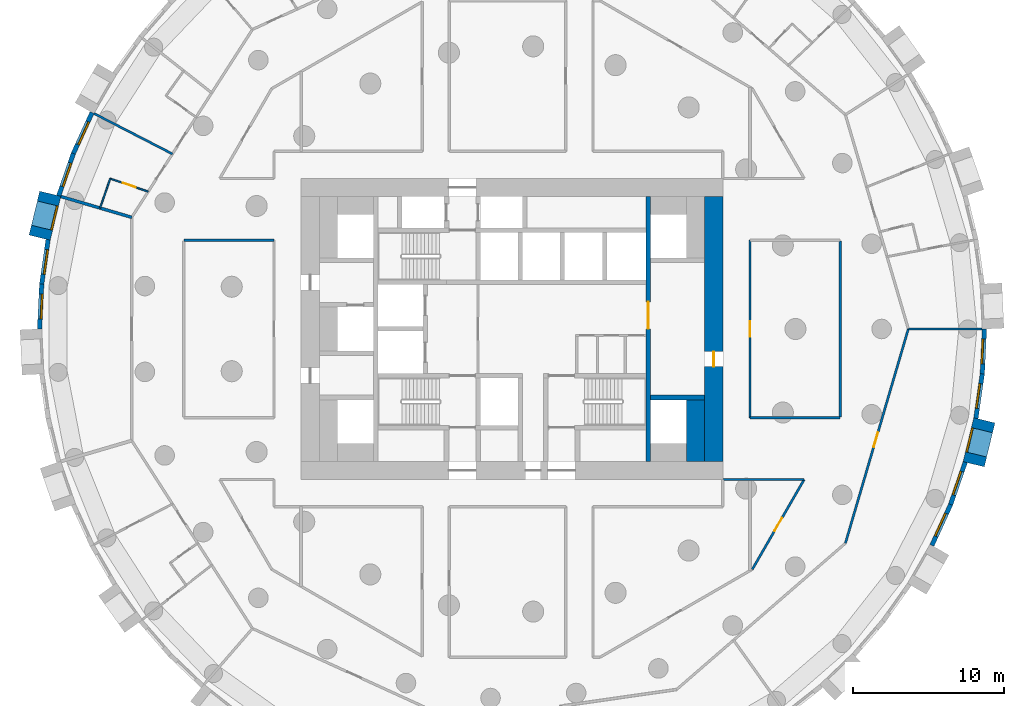
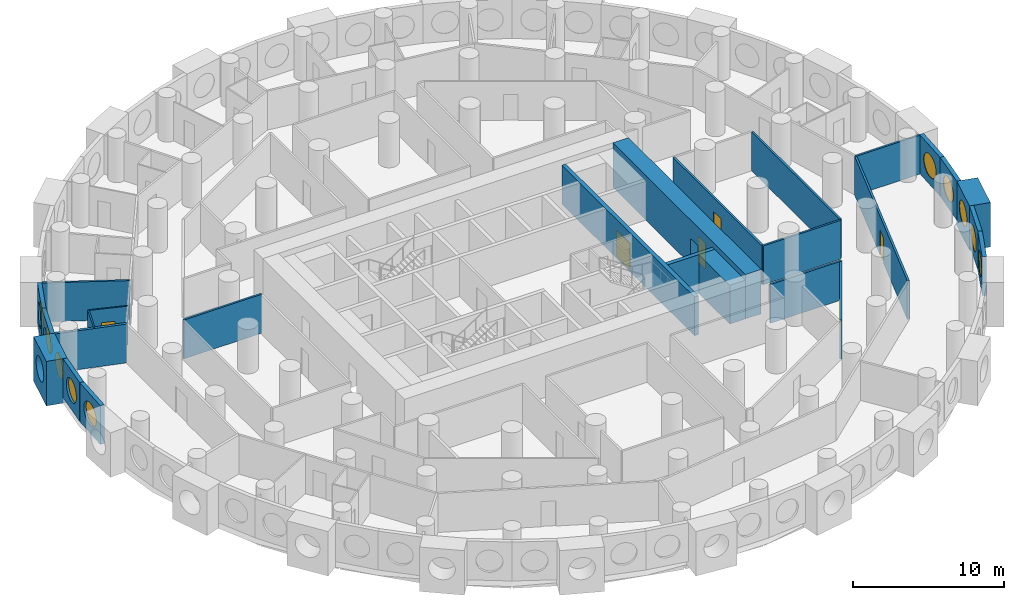
# One storey, part 6 of 12: 26 walls, 10 windows, 6 doors, 16 openings.
"""IFC4 building model written with IfcOpenShell, lengths in metres."""

from ifc_helpers import new_model, si_unit, direction, frame, frame_2d, origin, origin_2d, place, context, subcontext, project, spatial, rectangle, circle, extrude, material, layer, layer_set, type_object, element, fill, save


model = new_model("IFC4")

# Units and contexts
model_context = context("Model", 3, precision=1e-05, world=origin(), true_north=direction((0.0, 1.0)))
body_context = subcontext(model_context, "Body", "Model", "MODEL_VIEW")
ifc_project = project(units=[si_unit("LENGTHUNIT", "METRE"), si_unit("AREAUNIT", "SQUARE_METRE"), si_unit("VOLUMEUNIT", "CUBIC_METRE"), si_unit("PLANEANGLEUNIT", "RADIAN"), si_unit("MASSUNIT", "GRAM", prefix="KILO")], contexts=[model_context])

# Site, building, storey
site_placement = place(None, origin())
site = spatial("IfcSite", under=ifc_project, at=site_placement, CompositionType="ELEMENT")
building_placement = place(site_placement, origin())
building = spatial("IfcBuilding", under=site, at=building_placement, Name="Tracery Tower", CompositionType="ELEMENT")
storey_placement = place(building_placement, frame((0.0, 0.0, 85.800048828125)))
storey = spatial("IfcBuildingStorey", under=building, at=storey_placement, Name="L21", CompositionType="ELEMENT", Elevation=85.800048828125)

# Wall
ifc_material_1 = material(Name="Concrete C60/75", Category="concrete")
ifc_layer_1 = layer(ifc_material_1, 1.199951171875)
ifc_layer_set_1 = layer_set([ifc_layer_1], Name="Core strip wall 1200 C60")
wall_type_1 = type_object("IfcWallType", Name="Core strip wall 1200 C60", PredefinedType="SOLIDWALL", material=ifc_layer_set_1)
wall_1_placement = place(storey_placement, frame((12.199951171875, -8.800048828125, 0.0), z_axis=(0.0, 0.0, 1.0), x_axis=(0.0, 1.0, 0.0)))
element("IfcWall", 1, at=wall_1_placement, inside=storey, type_object=wall_type_1, Name="L21 wing strip +1 -9.4", PredefinedType="SOLIDWALL", context=body_context, shape_type="SweptSolid", body=[
    extrude(rectangle(XDim=4.10009765625, YDim=1.199951171875, at=frame_2d((2.050048828125, 0.0))), origin(), (0.0, 0.0, 1.0), 3.14990234375),
])

# Wall, opening, door
ifc_material_2 = material(Name="Concrete C60/75", Category="concrete")
ifc_layer_2 = layer(ifc_material_2, 1.199951171875)
ifc_layer_set_2 = layer_set([ifc_layer_2], Name="Core wall 1200 C60")
wall_type_2 = type_object("IfcWallType", Name="Core wall 1200 C60", PredefinedType="SOLIDWALL", material=ifc_layer_set_2)
wall_2_placement = place(storey_placement, frame((13.39990234375, -8.800048828125, 0.0), z_axis=(0.0, 0.0, 1.0), x_axis=(0.0, 1.0, 0.0)))
wall_2 = element("IfcWall", 2, at=wall_2_placement, inside=storey, type_object=wall_type_2, Name="L21 outer E", PredefinedType="SOLIDWALL", context=body_context, shape_type="SweptSolid", body=[
    extrude(rectangle(XDim=17.60009765625, YDim=1.199951171875, at=frame_2d((8.800048828125, 0.0))), origin(), (0.0, 0.0, 1.0), 3.599853515625),
])
opening_1_placement = place(wall_2_placement, frame((6.300048828125, 0.0, 0.0)))
opening_1 = element("IfcOpeningElement", 3, at=opening_1_placement, cuts=wall_2, Name="Opening KD18", PredefinedType="OPENING", context=body_context, shape_type="SweptSolid", body=[
    extrude(rectangle(XDim=1.0, YDim=2.10009765625, at=frame_2d((0.5, 1.050048828125))), frame((0.0, 0.60009765625, 0.0), z_axis=(0.0, -1.0, 0.0), x_axis=(1.0, 0.0, 0.0)), (0.0, 0.0, 1.0), 1.199951171875),
])
ifc_material_3 = material(Name="Steel fire door", Category="steel")
door_type_1 = type_object("IfcDoorType", Name="Core exit door 1000", OperationType="NOTDEFINED", PredefinedType="DOOR", material=ifc_material_3)
door_1_placement = place(opening_1_placement, origin())
door_1 = element("IfcDoor", 4, at=door_1_placement, inside=storey, type_object=door_type_1, Name="Core exit door", OperationType="DOUBLE_DOOR_SINGLE_SWING", OverallHeight=2.10009765625, OverallWidth=1.0, PredefinedType="DOOR", context=body_context, shape_type="SweptSolid", body=[
    extrude(rectangle(XDim=1.0, YDim=2.10009765625, at=frame_2d((0.5, 1.050048828125))), frame((0.0, 0.02490234375, 0.0), z_axis=(0.0, -1.0, 0.0), x_axis=(1.0, 0.0, 0.0)), (0.0, 0.0, 1.0), 0.050048828125),
])
fill(opening_1, door_1)

# Wall, opening, window
ifc_material_4 = material(Name="Precast concrete C50/60", Category="concrete")
ifc_layer_3 = layer(ifc_material_4, 1.449951171875)
ifc_layer_set_3 = layer_set([ifc_layer_3], Name="Deep-set bay unit 3000 x 3600, slab edge 450")
wall_type_3 = type_object("IfcWallType", Name="Deep-set bay unit 3000 x 3600, slab edge 450", PredefinedType="ELEMENTEDWALL", material=ifc_layer_set_3)
wall_3_placement = place(storey_placement, frame((-30.66064453125, 8.981689453125, -0.449951171875), z_axis=(0.0, 0.0, 1.0), x_axis=(-0.235751415068, -0.971813392732, 0.0)))
wall_3 = element("IfcWall", 5, at=wall_3_placement, inside=storey, type_object=wall_type_3, Name="Deep-set bay unit 31 at L21", PredefinedType="ELEMENTEDWALL", context=body_context, shape_type="SweptSolid", body=[
    extrude(rectangle(XDim=3.0, YDim=1.449951171875, at=frame_2d((1.5, 0.0))), origin(), (0.0, 0.0, 1.0), 3.599853515625),
])
opening_2_placement = place(wall_3_placement, frame((1.5, 0.0, 2.0)))
opening_2 = element("IfcOpeningElement", 6, at=opening_2_placement, cuts=wall_3, Name="Opening WN1", PredefinedType="OPENING", context=body_context, shape_type="SweptSolid", body=[
    extrude(circle(Radius=0.9000244140625, at=origin_2d()), frame((0.0, 0.73486328125, 0.0), z_axis=(0.0, -1.0, 0.0), x_axis=(1.0, 0.0, 0.0)), (0.0, 0.0, 1.0), 1.469970703125),
])
ifc_material_5 = material(Name="Aluminium frame with tinted double glazing", Category="aluminium")
window_type = type_object("IfcWindowType", Name="Round window 1800", PartitioningType="SINGLE_PANEL", PredefinedType="WINDOW", material=ifc_material_5)
window_1_placement = place(opening_2_placement, origin())
window_1 = element("IfcWindow", 7, at=window_1_placement, inside=storey, type_object=window_type, Name="Round window 31 at L21", OverallHeight=1.800048828125, OverallWidth=1.800048828125, PartitioningType="SINGLE_PANEL", PredefinedType="WINDOW", context=body_context, shape_type="SweptSolid", body=[
    extrude(circle(Radius=0.9000244140625, at=origin_2d()), frame((0.0, 0.69482421875, 0.0), z_axis=(0.0, -1.0, 0.0), x_axis=(1.0, 0.0, 0.0)), (0.0, 0.0, 1.0), 0.10009765625),
])
fill(opening_2, window_1)

wall_4_placement = place(storey_placement, frame((30.66064453125, -8.981689453125, -0.449951171875), z_axis=(0.0, 0.0, 1.0), x_axis=(0.235751415068, 0.971813392732, 0.0)))
wall_4 = element("IfcWall", 8, at=wall_4_placement, inside=storey, type_object=wall_type_3, Name="Deep-set bay unit 64 at L21", PredefinedType="ELEMENTEDWALL", context=body_context, shape_type="SweptSolid", body=[
    extrude(rectangle(XDim=3.0, YDim=1.449951171875, at=frame_2d((1.5, 0.0))), origin(), (0.0, 0.0, 1.0), 3.599853515625),
])
opening_3_placement = place(wall_4_placement, frame((1.5, 0.0, 2.0)))
opening_3 = element("IfcOpeningElement", 9, at=opening_3_placement, cuts=wall_4, Name="Opening WN1", PredefinedType="OPENING", context=body_context, shape_type="SweptSolid", body=[
    extrude(circle(Radius=0.9000244140625, at=origin_2d()), frame((0.0, 0.73486328125, 0.0), z_axis=(0.0, -1.0, 0.0), x_axis=(1.0, 0.0, 0.0)), (0.0, 0.0, 1.0), 1.469970703125),
])
window_2_placement = place(opening_3_placement, origin())
window_2 = element("IfcWindow", 10, at=window_2_placement, inside=storey, type_object=window_type, Name="Round window 64 at L21", OverallHeight=1.800048828125, OverallWidth=1.800048828125, PartitioningType="SINGLE_PANEL", PredefinedType="WINDOW", context=body_context, shape_type="SweptSolid", body=[
    extrude(circle(Radius=0.9000244140625, at=origin_2d()), frame((0.0, 0.69482421875, 0.0), z_axis=(0.0, -1.0, 0.0), x_axis=(1.0, 0.0, 0.0)), (0.0, 0.0, 1.0), 0.10009765625),
])
fill(opening_3, window_2)

ifc_material_6 = material(Name="Precast concrete C50/60", Category="concrete")
ifc_layer_4 = layer(ifc_material_6, 0.300048828125)
ifc_layer_set_4 = layer_set([ifc_layer_4], Name="Facade panel 3000 x 3150")
wall_type_4 = type_object("IfcWallType", Name="Facade panel 3000 x 3150", PredefinedType="SOLIDWALL", material=ifc_layer_set_4)
wall_5_placement = place(storey_placement, frame((-27.88916015625, 14.37109375, 0.0), z_axis=(0.0, 0.0, 1.0), x_axis=(-0.415407317162, -0.909635509888, 0.0)))
wall_5 = element("IfcWall", 11, at=wall_5_placement, inside=storey, type_object=wall_type_4, Name="Facade panel 29 at L21", PredefinedType="SOLIDWALL", context=body_context, shape_type="SweptSolid", body=[
    extrude(rectangle(XDim=2.979736328125, YDim=0.300048828125, at=frame_2d((1.48974609375, 0.0))), origin(), (0.0, 0.0, 1.0), 3.14990234375),
])
opening_4_placement = place(wall_5_placement, frame((1.48974609375, 0.0, 1.5498046875)))
opening_4 = element("IfcOpeningElement", 12, at=opening_4_placement, cuts=wall_5, Name="Opening WN1", PredefinedType="OPENING", context=body_context, shape_type="SweptSolid", body=[
    extrude(circle(Radius=0.9000244140625, at=origin_2d()), frame((0.0, 0.159912109375, 0.0), z_axis=(0.0, -1.0, 0.0), x_axis=(1.0, 0.0, 0.0)), (0.0, 0.0, 1.0), 0.320068359375),
])
window_3_placement = place(opening_4_placement, origin())
window_3 = element("IfcWindow", 13, at=window_3_placement, inside=storey, type_object=window_type, Name="Round window 29 at L21", OverallHeight=1.800048828125, OverallWidth=1.800048828125, PartitioningType="SINGLE_PANEL", PredefinedType="WINDOW", context=body_context, shape_type="SweptSolid", body=[
    extrude(circle(Radius=0.9000244140625, at=origin_2d()), frame((0.0, 0.1201171875, 0.0), z_axis=(0.0, -1.0, 0.0), x_axis=(1.0, 0.0, 0.0)), (0.0, 0.0, 1.0), 0.10009765625),
])
fill(opening_4, window_3)

wall_6_placement = place(storey_placement, frame((-29.126953125, 11.66064453125, 0.0), z_axis=(0.0, 0.0, 1.0), x_axis=(-0.327096492592, -0.944990944154, 0.0)))
wall_6 = element("IfcWall", 14, at=wall_6_placement, inside=storey, type_object=wall_type_4, Name="Facade panel 30 at L21", PredefinedType="SOLIDWALL", context=body_context, shape_type="SweptSolid", body=[
    extrude(rectangle(XDim=2.9794921875, YDim=0.300048828125, at=frame_2d((1.48974609375, 0.0))), origin(), (0.0, 0.0, 1.0), 3.14990234375),
])
opening_5_placement = place(wall_6_placement, frame((1.48974609375, 0.0, 1.5498046875)))
opening_5 = element("IfcOpeningElement", 15, at=opening_5_placement, cuts=wall_6, Name="Opening WN1", PredefinedType="OPENING", context=body_context, shape_type="SweptSolid", body=[
    extrude(circle(Radius=0.9000244140625, at=origin_2d()), frame((0.0, 0.159912109375, 0.0), z_axis=(0.0, -1.0, 0.0), x_axis=(1.0, 0.0, 0.0)), (0.0, 0.0, 1.0), 0.320068359375),
])
window_4_placement = place(opening_5_placement, origin())
window_4 = element("IfcWindow", 16, at=window_4_placement, inside=storey, type_object=window_type, Name="Round window 30 at L21", OverallHeight=1.800048828125, OverallWidth=1.800048828125, PartitioningType="SINGLE_PANEL", PredefinedType="WINDOW", context=body_context, shape_type="SweptSolid", body=[
    extrude(circle(Radius=0.9000244140625, at=origin_2d()), frame((0.0, 0.1201171875, 0.0), z_axis=(0.0, -1.0, 0.0), x_axis=(1.0, 0.0, 0.0)), (0.0, 0.0, 1.0), 0.10009765625),
])
fill(opening_5, window_4)

wall_7_placement = place(storey_placement, frame((-30.808349609375, 5.931640625, 0.0), z_axis=(0.0, 0.0, 1.0), x_axis=(-0.142327539111, -0.989819615693, 0.0)))
wall_7 = element("IfcWall", 17, at=wall_7_placement, inside=storey, type_object=wall_type_4, Name="Facade panel 32 at L21", PredefinedType="SOLIDWALL", context=body_context, shape_type="SweptSolid", body=[
    extrude(rectangle(XDim=2.9794921875, YDim=0.300048828125, at=frame_2d((1.48974609375, 0.0))), origin(), (0.0, 0.0, 1.0), 3.14990234375),
])
opening_6_placement = place(wall_7_placement, frame((1.48974609375, 0.0, 1.5498046875)))
opening_6 = element("IfcOpeningElement", 18, at=opening_6_placement, cuts=wall_7, Name="Opening WN1", PredefinedType="OPENING", context=body_context, shape_type="SweptSolid", body=[
    extrude(circle(Radius=0.9000244140625, at=origin_2d()), frame((0.0, 0.159912109375, 0.0), z_axis=(0.0, -1.0, 0.0), x_axis=(1.0, 0.0, 0.0)), (0.0, 0.0, 1.0), 0.320068359375),
])
window_5_placement = place(opening_6_placement, origin())
window_5 = element("IfcWindow", 19, at=window_5_placement, inside=storey, type_object=window_type, Name="Round window 32 at L21", OverallHeight=1.800048828125, OverallWidth=1.800048828125, PartitioningType="SINGLE_PANEL", PredefinedType="WINDOW", context=body_context, shape_type="SweptSolid", body=[
    extrude(circle(Radius=0.9000244140625, at=origin_2d()), frame((0.0, 0.1201171875, 0.0), z_axis=(0.0, -1.0, 0.0), x_axis=(1.0, 0.0, 0.0)), (0.0, 0.0, 1.0), 0.10009765625),
])
fill(opening_6, window_5)

wall_8_placement = place(storey_placement, frame((-31.232421875, 2.982421875, 0.0), z_axis=(0.0, 0.0, 1.0), x_axis=(-0.047522328113, -0.998870175914, 0.0)))
wall_8 = element("IfcWall", 20, at=wall_8_placement, inside=storey, type_object=wall_type_4, Name="Facade panel 33 at L21", PredefinedType="SOLIDWALL", context=body_context, shape_type="SweptSolid", body=[
    extrude(rectangle(XDim=2.979736328125, YDim=0.300048828125, at=frame_2d((1.48974609375, 0.0))), origin(), (0.0, 0.0, 1.0), 3.14990234375),
])
opening_7_placement = place(wall_8_placement, frame((1.48974609375, 0.0, 1.5498046875)))
opening_7 = element("IfcOpeningElement", 21, at=opening_7_placement, cuts=wall_8, Name="Opening WN1", PredefinedType="OPENING", context=body_context, shape_type="SweptSolid", body=[
    extrude(circle(Radius=0.9000244140625, at=origin_2d()), frame((0.0, 0.159912109375, 0.0), z_axis=(0.0, -1.0, 0.0), x_axis=(1.0, 0.0, 0.0)), (0.0, 0.0, 1.0), 0.320068359375),
])
window_6_placement = place(opening_7_placement, origin())
window_6 = element("IfcWindow", 22, at=window_6_placement, inside=storey, type_object=window_type, Name="Round window 33 at L21", OverallHeight=1.800048828125, OverallWidth=1.800048828125, PartitioningType="SINGLE_PANEL", PredefinedType="WINDOW", context=body_context, shape_type="SweptSolid", body=[
    extrude(circle(Radius=0.9000244140625, at=origin_2d()), frame((0.0, 0.1201171875, 0.0), z_axis=(0.0, -1.0, 0.0), x_axis=(1.0, 0.0, 0.0)), (0.0, 0.0, 1.0), 0.10009765625),
])
fill(opening_7, window_6)

wall_9_placement = place(storey_placement, frame((27.88916015625, -14.37109375, 0.0), z_axis=(0.0, 0.0, 1.0), x_axis=(0.415407317162, 0.909635509888, 0.0)))
wall_9 = element("IfcWall", 23, at=wall_9_placement, inside=storey, type_object=wall_type_4, Name="Facade panel 62 at L21", PredefinedType="SOLIDWALL", context=body_context, shape_type="SweptSolid", body=[
    extrude(rectangle(XDim=2.979736328125, YDim=0.300048828125, at=frame_2d((1.48974609375, 0.0))), origin(), (0.0, 0.0, 1.0), 3.14990234375),
])
opening_8_placement = place(wall_9_placement, frame((1.48974609375, 0.0, 1.5498046875)))
opening_8 = element("IfcOpeningElement", 24, at=opening_8_placement, cuts=wall_9, Name="Opening WN1", PredefinedType="OPENING", context=body_context, shape_type="SweptSolid", body=[
    extrude(circle(Radius=0.9000244140625, at=origin_2d()), frame((0.0, 0.159912109375, 0.0), z_axis=(0.0, -1.0, 0.0), x_axis=(1.0, 0.0, 0.0)), (0.0, 0.0, 1.0), 0.320068359375),
])
window_7_placement = place(opening_8_placement, origin())
window_7 = element("IfcWindow", 25, at=window_7_placement, inside=storey, type_object=window_type, Name="Round window 62 at L21", OverallHeight=1.800048828125, OverallWidth=1.800048828125, PartitioningType="SINGLE_PANEL", PredefinedType="WINDOW", context=body_context, shape_type="SweptSolid", body=[
    extrude(circle(Radius=0.9000244140625, at=origin_2d()), frame((0.0, 0.1201171875, 0.0), z_axis=(0.0, -1.0, 0.0), x_axis=(1.0, 0.0, 0.0)), (0.0, 0.0, 1.0), 0.10009765625),
])
fill(opening_8, window_7)

wall_10_placement = place(storey_placement, frame((29.126953125, -11.66064453125, 0.0), z_axis=(0.0, 0.0, 1.0), x_axis=(0.327096492592, 0.944990944154, 0.0)))
wall_10 = element("IfcWall", 26, at=wall_10_placement, inside=storey, type_object=wall_type_4, Name="Facade panel 63 at L21", PredefinedType="SOLIDWALL", context=body_context, shape_type="SweptSolid", body=[
    extrude(rectangle(XDim=2.9794921875, YDim=0.300048828125, at=frame_2d((1.48974609375, 0.0))), origin(), (0.0, 0.0, 1.0), 3.14990234375),
])
opening_9_placement = place(wall_10_placement, frame((1.48974609375, 0.0, 1.5498046875)))
opening_9 = element("IfcOpeningElement", 27, at=opening_9_placement, cuts=wall_10, Name="Opening WN1", PredefinedType="OPENING", context=body_context, shape_type="SweptSolid", body=[
    extrude(circle(Radius=0.9000244140625, at=origin_2d()), frame((0.0, 0.159912109375, 0.0), z_axis=(0.0, -1.0, 0.0), x_axis=(1.0, 0.0, 0.0)), (0.0, 0.0, 1.0), 0.320068359375),
])
window_8_placement = place(opening_9_placement, origin())
window_8 = element("IfcWindow", 28, at=window_8_placement, inside=storey, type_object=window_type, Name="Round window 63 at L21", OverallHeight=1.800048828125, OverallWidth=1.800048828125, PartitioningType="SINGLE_PANEL", PredefinedType="WINDOW", context=body_context, shape_type="SweptSolid", body=[
    extrude(circle(Radius=0.9000244140625, at=origin_2d()), frame((0.0, 0.1201171875, 0.0), z_axis=(0.0, -1.0, 0.0), x_axis=(1.0, 0.0, 0.0)), (0.0, 0.0, 1.0), 0.10009765625),
])
fill(opening_9, window_8)

wall_11_placement = place(storey_placement, frame((30.808349609375, -5.931640625, 0.0), z_axis=(0.0, 0.0, 1.0), x_axis=(0.142327539111, 0.989819615693, 0.0)))
wall_11 = element("IfcWall", 29, at=wall_11_placement, inside=storey, type_object=wall_type_4, Name="Facade panel 65 at L21", PredefinedType="SOLIDWALL", context=body_context, shape_type="SweptSolid", body=[
    extrude(rectangle(XDim=2.9794921875, YDim=0.300048828125, at=frame_2d((1.48974609375, 0.0))), origin(), (0.0, 0.0, 1.0), 3.14990234375),
])
opening_10_placement = place(wall_11_placement, frame((1.48974609375, 0.0, 1.5498046875)))
opening_10 = element("IfcOpeningElement", 30, at=opening_10_placement, cuts=wall_11, Name="Opening WN1", PredefinedType="OPENING", context=body_context, shape_type="SweptSolid", body=[
    extrude(circle(Radius=0.9000244140625, at=origin_2d()), frame((0.0, 0.159912109375, 0.0), z_axis=(0.0, -1.0, 0.0), x_axis=(1.0, 0.0, 0.0)), (0.0, 0.0, 1.0), 0.320068359375),
])
window_9_placement = place(opening_10_placement, origin())
window_9 = element("IfcWindow", 31, at=window_9_placement, inside=storey, type_object=window_type, Name="Round window 65 at L21", OverallHeight=1.800048828125, OverallWidth=1.800048828125, PartitioningType="SINGLE_PANEL", PredefinedType="WINDOW", context=body_context, shape_type="SweptSolid", body=[
    extrude(circle(Radius=0.9000244140625, at=origin_2d()), frame((0.0, 0.1201171875, 0.0), z_axis=(0.0, -1.0, 0.0), x_axis=(1.0, 0.0, 0.0)), (0.0, 0.0, 1.0), 0.10009765625),
])
fill(opening_10, window_9)

wall_12_placement = place(storey_placement, frame((31.232421875, -2.982421875, 0.0), z_axis=(0.0, 0.0, 1.0), x_axis=(0.047522328113, 0.998870175914, 0.0)))
wall_12 = element("IfcWall", 32, at=wall_12_placement, inside=storey, type_object=wall_type_4, Name="Facade panel 66 at L21", PredefinedType="SOLIDWALL", context=body_context, shape_type="SweptSolid", body=[
    extrude(rectangle(XDim=2.979736328125, YDim=0.300048828125, at=frame_2d((1.48974609375, 0.0))), origin(), (0.0, 0.0, 1.0), 3.14990234375),
])
opening_11_placement = place(wall_12_placement, frame((1.48974609375, 0.0, 1.5498046875)))
opening_11 = element("IfcOpeningElement", 33, at=opening_11_placement, cuts=wall_12, Name="Opening WN1", PredefinedType="OPENING", context=body_context, shape_type="SweptSolid", body=[
    extrude(circle(Radius=0.9000244140625, at=origin_2d()), frame((0.0, 0.159912109375, 0.0), z_axis=(0.0, -1.0, 0.0), x_axis=(1.0, 0.0, 0.0)), (0.0, 0.0, 1.0), 0.320068359375),
])
window_10_placement = place(opening_11_placement, origin())
window_10 = element("IfcWindow", 34, at=window_10_placement, inside=storey, type_object=window_type, Name="Round window 66 at L21", OverallHeight=1.800048828125, OverallWidth=1.800048828125, PartitioningType="SINGLE_PANEL", PredefinedType="WINDOW", context=body_context, shape_type="SweptSolid", body=[
    extrude(circle(Radius=0.9000244140625, at=origin_2d()), frame((0.0, 0.1201171875, 0.0), z_axis=(0.0, -1.0, 0.0), x_axis=(1.0, 0.0, 0.0)), (0.0, 0.0, 1.0), 0.10009765625),
])
fill(opening_11, window_10)

# Wall, opening, door
ifc_material_7 = material(Name="Plasterboard on steel studs", Category="steel")
ifc_layer_5 = layer(ifc_material_7, 0.10009765625)
ifc_layer_set_5 = layer_set([ifc_layer_5], Name="Partition 100 wet wall")
wall_type_5 = type_object("IfcWallType", Name="Partition 100 wet wall", PredefinedType="PARTITIONING", material=ifc_layer_set_5)
wall_13_placement = place(storey_placement, frame((-26.678955078125, 9.989013671875, 0.0), z_axis=(0.0, 0.0, 1.0), x_axis=(0.945014370431, -0.327028805578, 0.0)))
wall_13 = element("IfcWall", 35, at=wall_13_placement, inside=storey, type_object=wall_type_5, Name="Wet wall RA6-088", PredefinedType="PARTITIONING", context=body_context, shape_type="SweptSolid", body=[
    extrude(rectangle(XDim=2.666748046875, YDim=0.10009765625, at=frame_2d((1.33349609375, 0.0))), origin(), (0.0, 0.0, 1.0), 3.14990234375),
])
opening_12_placement = place(wall_13_placement, frame((0.883544921875, 0.0, 0.0)))
opening_12 = element("IfcOpeningElement", 36, at=opening_12_placement, cuts=wall_13, Name="Opening RA6-33", PredefinedType="OPENING", context=body_context, shape_type="SweptSolid", body=[
    extrude(rectangle(XDim=0.89990234375, YDim=2.0400390625, at=frame_2d((0.449951171875, 1.02001953125))), frame((0.0, 0.050048828125, 0.0), z_axis=(0.0, -1.0, 0.0), x_axis=(1.0, 0.0, 0.0)), (0.0, 0.0, 1.0), 0.10009765625),
])
ifc_material_8 = material(Name="Timber door leaf", Category="wood")
door_type_2 = type_object("IfcDoorType", Name="Door en-suite 900", OperationType="NOTDEFINED", PredefinedType="DOOR", material=ifc_material_8)
door_2_placement = place(opening_12_placement, origin())
door_2 = element("IfcDoor", 37, at=door_2_placement, inside=storey, type_object=door_type_2, Name="En-suite door RA6-33", OperationType="SINGLE_SWING_LEFT", OverallHeight=2.0400390625, OverallWidth=0.89990234375, PredefinedType="DOOR", context=body_context, shape_type="SweptSolid", body=[
    extrude(rectangle(XDim=0.89990234375, YDim=2.0400390625, at=frame_2d((0.449951171875, 1.02001953125))), frame((0.0, 0.02490234375, 0.0), z_axis=(0.0, -1.0, 0.0), x_axis=(1.0, 0.0, 0.0)), (0.0, 0.0, 1.0), 0.050048828125),
])
fill(opening_12, door_2)

# Walls
wall_14_placement = place(storey_placement, frame((-27.35595703125, 8.031982421875, 0.0), z_axis=(0.0, 0.0, 1.0), x_axis=(0.326924291943, 0.945050531632, 0.0)))
element("IfcWall", 38, at=wall_14_placement, inside=storey, type_object=wall_type_5, Name="Wet wall RA6-089", PredefinedType="PARTITIONING", context=body_context, shape_type="SweptSolid", body=[
    extrude(rectangle(XDim=2.07080078125, YDim=0.10009765625, at=frame_2d((1.035400390625, 0.0))), origin(), (0.0, 0.0, 1.0), 3.14990234375),
])
ifc_material_9 = material(Name="Plasterboard on steel studs", Category="steel")
ifc_layer_6 = layer(ifc_material_9, 0.14990234375)
ifc_layer_set_6 = layer_set([ifc_layer_6], Name="Partition 150 acoustic unit wall")
wall_type_6 = type_object("IfcWallType", Name="Partition 150 acoustic unit wall", PredefinedType="PARTITIONING", material=ifc_layer_set_6)
wall_15_placement = place(storey_placement, frame((26.319091796875, 0.0, 0.0), z_axis=(0.0, 0.0, 1.0), x_axis=(1.0, 0.0, 0.0)))
element("IfcWall", 39, at=wall_15_placement, inside=storey, type_object=wall_type_6, Name="Unit wall RA6-063", PredefinedType="PARTITIONING", context=body_context, shape_type="SweptSolid", body=[
    extrude(rectangle(XDim=4.905029296875, YDim=0.14990234375, at=frame_2d((2.45263671875, 0.0))), origin(), (0.0, 0.0, 1.0), 3.14990234375),
])
wall_16_placement = place(storey_placement, frame((-27.7529296875, 14.30810546875, 0.0), z_axis=(0.0, 0.0, 1.0), x_axis=(0.88877955153, -0.45833493079, 0.0)))
element("IfcWall", 40, at=wall_16_placement, inside=storey, type_object=wall_type_6, Name="Unit wall RA6-087", PredefinedType="PARTITIONING", context=body_context, shape_type="SweptSolid", body=[
    extrude(rectangle(XDim=5.856201171875, YDim=0.14990234375, at=frame_2d((2.92822265625, 0.0))), origin(), (0.0, 0.0, 1.0), 3.14990234375),
])
ifc_material_10 = material(Name="Plasterboard on steel studs", Category="steel")
ifc_layer_7 = layer(ifc_material_10, 0.14990234375)
ifc_layer_set_7 = layer_set([ifc_layer_7], Name="Partition 150 corridor wall")
wall_type_7 = type_object("IfcWallType", Name="Partition 150 corridor wall", PredefinedType="PARTITIONING", material=ifc_layer_set_7)
wall_17_placement = place(storey_placement, frame((14.0, -10.0, 0.0), z_axis=(0.0, 0.0, 1.0), x_axis=(1.0, 0.0, 0.0)))
element("IfcWall", 41, at=wall_17_placement, inside=storey, type_object=wall_type_7, Name="Corridor wall RA6-012", PredefinedType="PARTITIONING", context=body_context, shape_type="SweptSolid", body=[
    extrude(rectangle(XDim=5.40087890625, YDim=0.14990234375, at=frame_2d((2.700439453125, 0.0))), origin(), (0.0, 0.0, 1.0), 3.14990234375),
])

# Wall, opening, door
wall_18_placement = place(storey_placement, frame((15.800048828125, -5.904052734375, 0.0), z_axis=(0.0, 0.0, 1.0), x_axis=(0.0, 1.0, 0.0)))
wall_18 = element("IfcWall", 42, at=wall_18_placement, inside=storey, type_object=wall_type_7, Name="Corridor wall RA6-013", PredefinedType="PARTITIONING", context=body_context, shape_type="SweptSolid", body=[
    extrude(rectangle(XDim=11.80810546875, YDim=0.14990234375, at=frame_2d((5.904052734375, 0.0))), origin(), (0.0, 0.0, 1.0), 3.14990234375),
])
opening_13_placement = place(wall_18_placement, frame((5.404052734375, 0.0, 0.0)))
opening_13 = element("IfcOpeningElement", 43, at=opening_13_placement, cuts=wall_18, Name="Opening RA6-07", PredefinedType="OPENING", context=body_context, shape_type="SweptSolid", body=[
    extrude(rectangle(XDim=1.0, YDim=2.0400390625, at=frame_2d((0.5, 1.02001953125))), frame((0.0, 0.074951171875, 0.0), z_axis=(0.0, -1.0, 0.0), x_axis=(1.0, 0.0, 0.0)), (0.0, 0.0, 1.0), 0.14990234375),
])
ifc_material_11 = material(Name="Timber door leaf", Category="wood")
door_type_3 = type_object("IfcDoorType", Name="Door communal room 1000", OperationType="NOTDEFINED", PredefinedType="DOOR", material=ifc_material_11)
door_3_placement = place(opening_13_placement, origin())
door_3 = element("IfcDoor", 44, at=door_3_placement, inside=storey, type_object=door_type_3, Name="Communal room door RA6-07", OperationType="SINGLE_SWING_RIGHT", OverallHeight=2.0400390625, OverallWidth=1.0, PredefinedType="DOOR", context=body_context, shape_type="SweptSolid", body=[
    extrude(rectangle(XDim=1.0, YDim=2.0400390625, at=frame_2d((0.5, 1.02001953125))), frame((0.0, 0.02490234375, 0.0), z_axis=(0.0, -1.0, 0.0), x_axis=(1.0, 0.0, 0.0)), (0.0, 0.0, 1.0), 0.050048828125),
])
fill(opening_13, door_3)

# Walls
wall_19_placement = place(storey_placement, frame((15.800048828125, -5.89990234375, 0.0), z_axis=(0.0, 0.0, 1.0), x_axis=(1.0, 0.0, 0.0)))
element("IfcWall", 45, at=wall_19_placement, inside=storey, type_object=wall_type_7, Name="Corridor wall RA6-015", PredefinedType="PARTITIONING", context=body_context, shape_type="SweptSolid", body=[
    extrude(rectangle(XDim=5.968017578125, YDim=0.14990234375, at=frame_2d((2.98388671875, 0.0))), origin(), (0.0, 0.0, 1.0), 3.14990234375),
])
wall_20_placement = place(storey_placement, frame((21.802001953125, -5.842041015625, 0.0), z_axis=(0.0, 0.0, 1.0), x_axis=(0.0, 1.0, 0.0)))
element("IfcWall", 46, at=wall_20_placement, inside=storey, type_object=wall_type_7, Name="Corridor wall RA6-016", PredefinedType="PARTITIONING", context=body_context, shape_type="SweptSolid", body=[
    extrude(rectangle(XDim=11.68408203125, YDim=0.14990234375, at=frame_2d((5.842041015625, 0.0))), origin(), (0.0, 0.0, 1.0), 3.14990234375),
])

# Wall, opening, door
wall_21_placement = place(storey_placement, frame((15.9599609375, -15.9599609375, 0.0), z_axis=(0.0, 0.0, 1.0), x_axis=(0.499992689227, 0.86602962462, 0.0)))
wall_21 = element("IfcWall", 47, at=wall_21_placement, inside=storey, type_object=wall_type_7, Name="Corridor wall RA6-019", PredefinedType="PARTITIONING", context=body_context, shape_type="SweptSolid", body=[
    extrude(rectangle(XDim=6.8818359375, YDim=0.14990234375, at=frame_2d((3.44091796875, 0.0))), origin(), (0.0, 0.0, 1.0), 3.14990234375),
])
opening_14_placement = place(wall_21_placement, frame((2.94091796875, 0.0, 0.0)))
opening_14 = element("IfcOpeningElement", 48, at=opening_14_placement, cuts=wall_21, Name="Opening RA6-12", PredefinedType="OPENING", context=body_context, shape_type="SweptSolid", body=[
    extrude(rectangle(XDim=1.0, YDim=2.0400390625, at=frame_2d((0.5, 1.02001953125))), frame((0.0, 0.074951171875, 0.0), z_axis=(0.0, -1.0, 0.0), x_axis=(1.0, 0.0, 0.0)), (0.0, 0.0, 1.0), 0.14990234375),
])
door_4_placement = place(opening_14_placement, origin())
door_4 = element("IfcDoor", 49, at=door_4_placement, inside=storey, type_object=door_type_3, Name="Communal room door RA6-12", OperationType="SINGLE_SWING_LEFT", OverallHeight=2.0400390625, OverallWidth=1.0, PredefinedType="DOOR", context=body_context, shape_type="SweptSolid", body=[
    extrude(rectangle(XDim=1.0, YDim=2.0400390625, at=frame_2d((0.5, 1.02001953125))), frame((0.0, 0.02490234375, 0.0), z_axis=(0.0, -1.0, 0.0), x_axis=(1.0, 0.0, 0.0)), (0.0, 0.0, 1.0), 0.050048828125),
])
fill(opening_14, door_4)

wall_22_placement = place(storey_placement, frame((22.14111328125, -14.22900390625, 0.0), z_axis=(0.0, 0.0, 1.0), x_axis=(0.281730446162, 0.959493593363, 0.0)))
wall_22 = element("IfcWall", 50, at=wall_22_placement, inside=storey, type_object=wall_type_7, Name="Corridor wall RA6-022", PredefinedType="PARTITIONING", context=body_context, shape_type="SweptSolid", body=[
    extrude(rectangle(XDim=14.82958984375, YDim=0.14990234375, at=frame_2d((7.414794921875, 0.0))), origin(), (0.0, 0.0, 1.0), 3.14990234375),
])
opening_15_placement = place(wall_22_placement, frame((6.664794921875, 0.0, 0.0)))
opening_15 = element("IfcOpeningElement", 51, at=opening_15_placement, cuts=wall_22, Name="Opening RA6-42", PredefinedType="OPENING", context=body_context, shape_type="SweptSolid", body=[
    extrude(rectangle(XDim=1.0, YDim=2.0400390625, at=frame_2d((0.5, 1.02001953125))), frame((0.0, 0.074951171875, 0.0), z_axis=(0.0, -1.0, 0.0), x_axis=(1.0, 0.0, 0.0)), (0.0, 0.0, 1.0), 0.14990234375),
])
door_5_placement = place(opening_15_placement, origin())
door_5 = element("IfcDoor", 52, at=door_5_placement, inside=storey, type_object=door_type_3, Name="Communal room door RA6-42", OperationType="SINGLE_SWING_RIGHT", OverallHeight=2.0400390625, OverallWidth=1.0, PredefinedType="DOOR", context=body_context, shape_type="SweptSolid", body=[
    extrude(rectangle(XDim=1.0, YDim=2.0400390625, at=frame_2d((0.5, 1.02001953125))), frame((0.0, 0.02490234375, 0.0), z_axis=(0.0, -1.0, 0.0), x_axis=(1.0, 0.0, 0.0)), (0.0, 0.0, 1.0), 0.050048828125),
])
fill(opening_15, door_5)

# Walls
wall_23_placement = place(storey_placement, frame((-21.76806640625, 5.89990234375, 0.0), z_axis=(0.0, 0.0, 1.0), x_axis=(1.0, 0.0, 0.0)))
element("IfcWall", 53, at=wall_23_placement, inside=storey, type_object=wall_type_7, Name="Corridor wall RA6-035", PredefinedType="PARTITIONING", context=body_context, shape_type="SweptSolid", body=[
    extrude(rectangle(XDim=5.968017578125, YDim=0.14990234375, at=frame_2d((2.98388671875, 0.0))), origin(), (0.0, 0.0, 1.0), 3.14990234375),
])
ifc_material_12 = material(Name="Plasterboard on steel studs", Category="steel")
ifc_layer_8 = layer(ifc_material_12, 0.199951171875)
ifc_layer_set_8 = layer_set([ifc_layer_8], Name="Partition 200 compartment wall")
wall_type_8 = type_object("IfcWallType", Name="Partition 200 compartment wall", PredefinedType="PARTITIONING", material=ifc_layer_set_8)
wall_24_placement = place(storey_placement, frame((-29.958984375, 8.797119140625, 0.0), z_axis=(0.0, 0.0, 1.0), x_axis=(0.95941700717, -0.281991145876, 0.0)))
element("IfcWall", 54, at=wall_24_placement, inside=storey, type_object=wall_type_8, Name="Compartment wall RA6-090", PredefinedType="PARTITIONING", context=body_context, shape_type="SweptSolid", body=[
    extrude(rectangle(XDim=4.904541015625, YDim=0.199951171875, at=frame_2d((2.4521484375, 0.0))), origin(), (0.0, 0.0, 1.0), 3.14990234375),
])
ifc_material_13 = material(Name="Concrete C60/75", Category="concrete")
ifc_layer_9 = layer(ifc_material_13, 0.300048828125)
ifc_layer_set_9 = layer_set([ifc_layer_9], Name="Shaft wall 300 C60")
wall_type_9 = type_object("IfcWallType", Name="Shaft wall 300 C60", PredefinedType="SOLIDWALL", material=ifc_layer_set_9)
wall_25_placement = place(storey_placement, frame((9.199951171875, -4.550048828125, 0.0), z_axis=(0.0, 0.0, 1.0), x_axis=(1.0, 0.0, 0.0)))
element("IfcWall", 55, at=wall_25_placement, inside=storey, type_object=wall_type_9, Name="L21 wing shaft wall +1 -4.55", PredefinedType="SOLIDWALL", context=body_context, shape_type="SweptSolid", body=[
    extrude(rectangle(XDim=3.60009765625, YDim=0.300048828125, at=frame_2d((1.800048828125, 0.0))), origin(), (0.0, 0.0, 1.0), 3.14990234375),
])

# Wall, opening, door
ifc_material_14 = material(Name="Concrete C60/75", Category="concrete")
ifc_layer_10 = layer(ifc_material_14, 0.300048828125)
ifc_layer_set_10 = layer_set([ifc_layer_10], Name="Stair wall 300 C60")
wall_type_10 = type_object("IfcWallType", Name="Stair wall 300 C60", PredefinedType="SOLIDWALL", material=ifc_layer_set_10)
wall_26_placement = place(storey_placement, frame((9.050048828125, -8.800048828125, 0.0), z_axis=(0.0, 0.0, 1.0), x_axis=(0.0, 1.0, 0.0)))
wall_26 = element("IfcWall", 56, at=wall_26_placement, inside=storey, type_object=wall_type_10, Name="L21 F wall +9", PredefinedType="SOLIDWALL", context=body_context, shape_type="SweptSolid", body=[
    extrude(rectangle(XDim=17.60009765625, YDim=0.300048828125, at=frame_2d((8.800048828125, 0.0))), origin(), (0.0, 0.0, 1.0), 3.14990234375),
])
opening_16_placement = place(wall_26_placement, frame((8.800048828125, 0.0, 0.0)))
opening_16 = element("IfcOpeningElement", 57, at=opening_16_placement, cuts=wall_26, Name="Opening KD13", PredefinedType="OPENING", context=body_context, shape_type="SweptSolid", body=[
    extrude(rectangle(XDim=1.800048828125, YDim=2.10009765625, at=frame_2d((0.89990234375, 1.050048828125))), frame((0.0, 0.14990234375, 0.0), z_axis=(0.0, -1.0, 0.0), x_axis=(1.0, 0.0, 0.0)), (0.0, 0.0, 1.0), 0.300048828125),
])
ifc_material_15 = material(Name="Steel fire door", Category="steel")
door_type_4 = type_object("IfcDoorType", Name="Core exit door 1800 double", OperationType="NOTDEFINED", PredefinedType="DOOR", material=ifc_material_15)
door_6_placement = place(opening_16_placement, origin())
door_6 = element("IfcDoor", 58, at=door_6_placement, inside=storey, type_object=door_type_4, Name="Core exit door", OperationType="DOUBLE_DOOR_SINGLE_SWING", OverallHeight=2.10009765625, OverallWidth=1.800048828125, PredefinedType="DOOR", context=body_context, shape_type="SweptSolid", body=[
    extrude(rectangle(XDim=1.800048828125, YDim=2.10009765625, at=frame_2d((0.89990234375, 1.050048828125))), frame((0.0, 0.02490234375, 0.0), z_axis=(0.0, -1.0, 0.0), x_axis=(1.0, 0.0, 0.0)), (0.0, 0.0, 1.0), 0.050048828125),
])
fill(opening_16, door_6)

save(model, "model.ifc")
